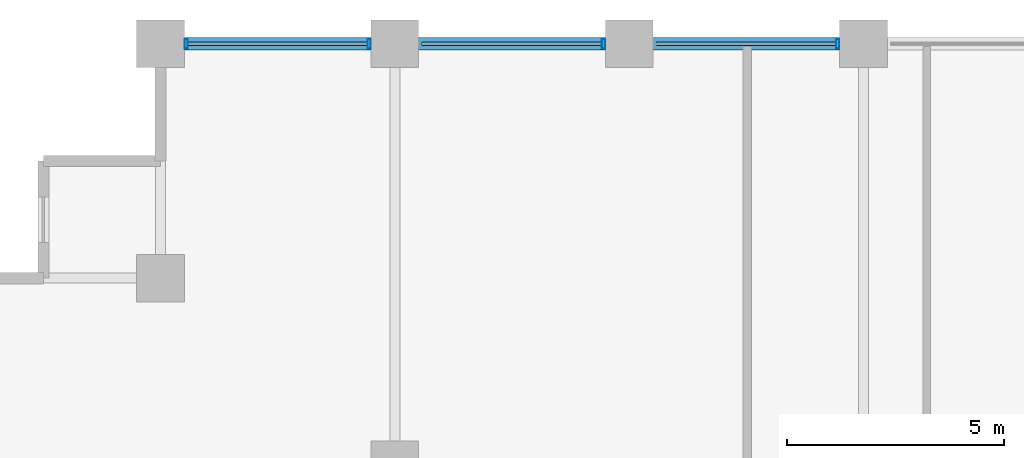
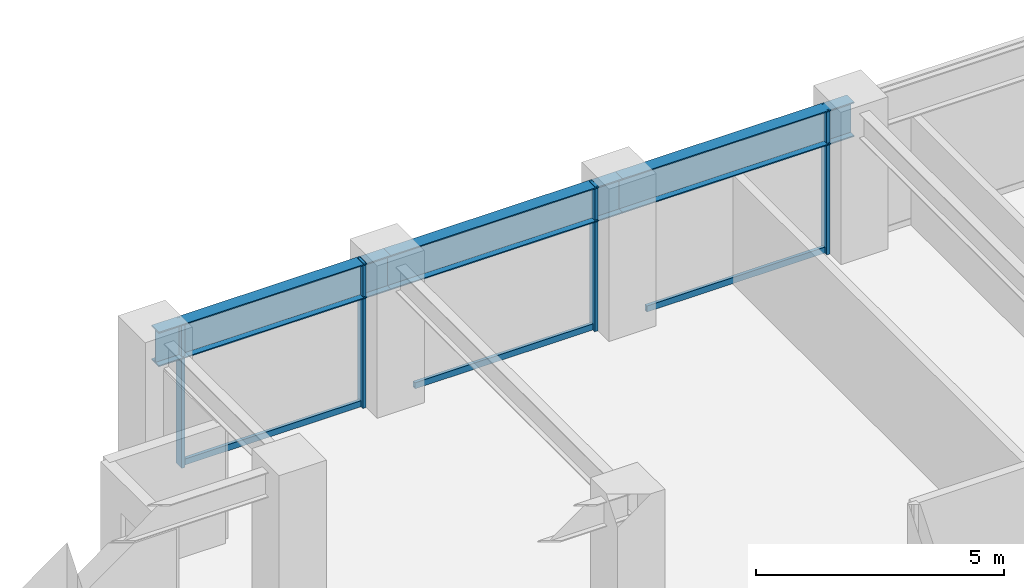
# One storey, part 14 of 29: 7 members, 3 beams, 1 element without a shape of its own.
"""IFC4 building model written with IfcOpenShell, lengths in metres."""

from ifc_helpers import new_model, si_unit, direction, frame, origin, origin_2d, place, context, subcontext, project, spatial, hollow_rectangle, i_section, extrude, material, layer, layer_set, material_profile, profile_set, type_object, element, aggregate, save


model = new_model("IFC4")

# Units and contexts
model_context = context("Model", 3, precision=1e-05, world=origin(), true_north=direction((0.0, 1.0)))
body_context = subcontext(model_context, "Body", "Model", "MODEL_VIEW")
ifc_project = project(units=[si_unit("LENGTHUNIT", "METRE"), si_unit("AREAUNIT", "SQUARE_METRE"), si_unit("VOLUMEUNIT", "CUBIC_METRE"), si_unit("PLANEANGLEUNIT", "RADIAN"), si_unit("MASSUNIT", "GRAM", prefix="KILO")], contexts=[model_context])

# Site, building, storey
site_placement = place(None, origin())
site = spatial("IfcSite", under=ifc_project, at=site_placement, CompositionType="ELEMENT")
building_placement = place(site_placement, origin())
building = spatial("IfcBuilding", under=site, at=building_placement, Name="Surkhivell Harbour Commons", CompositionType="ELEMENT")
storey_placement = place(building_placement, frame((0.0, 0.0, 90.75)))
storey = spatial("IfcBuildingStorey", under=building, at=storey_placement, Name="L23", CompositionType="ELEMENT", Elevation=90.75)

# Beams
ifc_material_1 = material(Name="Steel S460", Category="steel")
ifc_material_profile_1 = material_profile(ifc_material_1, i_section(OverallWidth=0.2939453125, OverallDepth=0.85107421875, WebThickness=0.01611328125, FlangeThickness=0.02685546875, at=origin_2d()), Name="UB838x292x226")
ifc_profile_set_1 = profile_set([ifc_material_profile_1], Name="Steel S460")
beam_type = type_object("IfcBeamType", Name="BM-SPN-838", PredefinedType="SPANDREL", material=ifc_profile_set_1)
beam_1_placement = place(storey_placement, frame((-27.0, 25.89990234375, 3.14453125), z_axis=(1.0, 0.0, 0.0), x_axis=(0.0, 1.0, 0.0)))
element("IfcBeam", 1, at=beam_1_placement, inside=storey, type_object=beam_type, Name="L23 Tube Spandrel (-27.0,25.9)", PredefinedType="SPANDREL", context=body_context, shape_type="SweptSolid", body=[
    extrude(i_section(OverallWidth=0.2939453125, OverallDepth=0.85107421875, WebThickness=0.01611328125, FlangeThickness=0.02685546875, at=origin_2d()), origin(), (0.0, 0.0, 1.0), 5.39990234375),
])
beam_2_placement = place(storey_placement, frame((-21.60009765625, 25.89990234375, 3.14453125), z_axis=(1.0, 0.0, 0.0), x_axis=(0.0, 1.0, 0.0)))
element("IfcBeam", 2, at=beam_2_placement, inside=storey, type_object=beam_type, Name="L23 Tube Spandrel (-21.6,25.9)", PredefinedType="SPANDREL", context=body_context, shape_type="SweptSolid", body=[
    extrude(i_section(OverallWidth=0.2939453125, OverallDepth=0.85107421875, WebThickness=0.01611328125, FlangeThickness=0.02685546875, at=origin_2d()), origin(), (0.0, 0.0, 1.0), 5.400146484375),
])
beam_3_placement = place(storey_placement, frame((-16.199951171875, 25.89990234375, 3.14453125), z_axis=(1.0, 0.0, 0.0), x_axis=(0.0, 1.0, 0.0)))
element("IfcBeam", 3, at=beam_3_placement, inside=storey, type_object=beam_type, Name="L23 Tube Spandrel (-16.2,25.9)", PredefinedType="SPANDREL", context=body_context, shape_type="SweptSolid", body=[
    extrude(i_section(OverallWidth=0.2939453125, OverallDepth=0.85107421875, WebThickness=0.01611328125, FlangeThickness=0.02685546875, at=origin_2d()), origin(), (0.0, 0.0, 1.0), 5.39990234375),
])

# Curtain wall, members
ifc_material_2 = material(Name="Anodised pale-metal aluminium and insulated glazing", Category="aluminium")
ifc_layer = layer(ifc_material_2, 0.205078125)
ifc_layer_set = layer_set([ifc_layer], Name="Anodised pale-metal aluminium and insulated glazing")
curtain_wall_type = type_object("IfcCurtainWallType", Name="CW-SYS-Z2", PredefinedType="NOTDEFINED", material=ifc_layer_set)
curtain_wall_placement = place(storey_placement, origin())
curtain_wall = element("IfcCurtainWall", 4, at=curtain_wall_placement, inside=storey, type_object=curtain_wall_type, Name="L23 Curtain Wall CW-L23-E07S2", PredefinedType="NOTDEFINED")
ifc_material_3 = material(Name="Anodised pale-metal aluminium alloy 6063-T6", Category="aluminium")
ifc_material_profile_2 = material_profile(ifc_material_3, hollow_rectangle(XDim=0.074951171875, YDim=0.219970703125, WallThickness=0.00390625, at=origin_2d()), Name="ALU-MULL-75x220")
ifc_profile_set_2 = profile_set([ifc_material_profile_2], Name="Anodised pale-metal aluminium alloy 6063-T6")
member_type_1 = type_object("IfcMemberType", Name="CWM-220", PredefinedType="MULLION", material=ifc_profile_set_2)
member_1_placement = place(storey_placement, frame((-11.389404296875, 25.89990234375, 0.0), z_axis=(0.0, 0.0, 1.0), x_axis=(-1.0, 0.0, 0.0)))
member_1 = element("IfcMember", 5, at=member_1_placement, type_object=member_type_1, Name="CW-Z2 mullion 2", PredefinedType="MULLION", context=body_context, shape_type="SweptSolid", body=[
    extrude(hollow_rectangle(XDim=0.074951171875, YDim=0.219970703125, WallThickness=0.00390625, at=origin_2d()), origin(), (0.0, 0.0, 1.0), 3.570068359375),
])
member_2_placement = place(storey_placement, frame((-16.78955078125, 25.89990234375, 0.0), z_axis=(0.0, 0.0, 1.0), x_axis=(-1.0, 0.0, 0.0)))
member_2 = element("IfcMember", 6, at=member_2_placement, type_object=member_type_1, Name="CW-Z2 mullion 3", PredefinedType="MULLION", context=body_context, shape_type="SweptSolid", body=[
    extrude(hollow_rectangle(XDim=0.074951171875, YDim=0.219970703125, WallThickness=0.00390625, at=origin_2d()), origin(), (0.0, 0.0, 1.0), 3.570068359375),
])
member_3_placement = place(storey_placement, frame((-22.189453125, 25.89990234375, 0.0), z_axis=(0.0, 0.0, 1.0), x_axis=(-1.0, 0.0, 0.0)))
member_3 = element("IfcMember", 7, at=member_3_placement, type_object=member_type_1, Name="CW-Z2 mullion 4", PredefinedType="MULLION", context=body_context, shape_type="SweptSolid", body=[
    extrude(hollow_rectangle(XDim=0.074951171875, YDim=0.219970703125, WallThickness=0.00390625, at=origin_2d()), origin(), (0.0, 0.0, 1.0), 3.570068359375),
])
member_4_placement = place(storey_placement, frame((-26.410400390625, 25.89990234375, 0.0), z_axis=(0.0, 0.0, 1.0), x_axis=(-1.0, 0.0, 0.0)))
member_4 = element("IfcMember", 8, at=member_4_placement, type_object=member_type_1, Name="CW-Z2 mullion 5", PredefinedType="MULLION", context=body_context, shape_type="SweptSolid", body=[
    extrude(hollow_rectangle(XDim=0.074951171875, YDim=0.219970703125, WallThickness=0.00390625, at=origin_2d()), origin(), (0.0, 0.0, 1.0), 3.570068359375),
])
ifc_material_profile_3 = material_profile(ifc_material_3, hollow_rectangle(XDim=0.074951171875, YDim=0.14990234375, WallThickness=0.00341796875, at=origin_2d()), Name="ALU-TRAN-75x150")
ifc_profile_set_3 = profile_set([ifc_material_profile_3], Name="Anodised pale-metal aluminium alloy 6063-T6")
member_type_2 = type_object("IfcMemberType", Name="CWT-150", PredefinedType="USERDEFINED", material=ifc_profile_set_3)
member_5_placement = place(storey_placement, frame((-11.427001953125, 25.89990234375, 0.074951171875), z_axis=(-1.0, 0.0, 0.0), x_axis=(0.0, -1.0, 0.0)))
member_5 = element("IfcMember", 9, at=member_5_placement, type_object=member_type_2, Name="CW-Z2 transom 2.1", ObjectType="TRANSOM", PredefinedType="USERDEFINED", context=body_context, shape_type="SweptSolid", body=[
    extrude(hollow_rectangle(XDim=0.074951171875, YDim=0.14990234375, WallThickness=0.00341796875, at=origin_2d()), origin(), (0.0, 0.0, 1.0), 4.14599609375),
])
member_6_placement = place(storey_placement, frame((-16.826904296875, 25.89990234375, 0.074951171875), z_axis=(-1.0, 0.0, 0.0), x_axis=(0.0, -1.0, 0.0)))
member_6 = element("IfcMember", 10, at=member_6_placement, type_object=member_type_2, Name="CW-Z2 transom 3.1", ObjectType="TRANSOM", PredefinedType="USERDEFINED", context=body_context, shape_type="SweptSolid", body=[
    extrude(hollow_rectangle(XDim=0.074951171875, YDim=0.14990234375, WallThickness=0.00341796875, at=origin_2d()), origin(), (0.0, 0.0, 1.0), 4.14599609375),
])
member_7_placement = place(storey_placement, frame((-22.22705078125, 25.89990234375, 0.074951171875), z_axis=(-1.0, 0.0, 0.0), x_axis=(0.0, -1.0, 0.0)))
member_7 = element("IfcMember", 11, at=member_7_placement, type_object=member_type_2, Name="CW-Z2 transom 4.1", ObjectType="TRANSOM", PredefinedType="USERDEFINED", context=body_context, shape_type="SweptSolid", body=[
    extrude(hollow_rectangle(XDim=0.074951171875, YDim=0.14990234375, WallThickness=0.00341796875, at=origin_2d()), origin(), (0.0, 0.0, 1.0), 4.14599609375),
])
aggregate(curtain_wall, [member_1, member_5, member_2, member_6, member_3, member_4, member_7])

save(model, "model.ifc")
